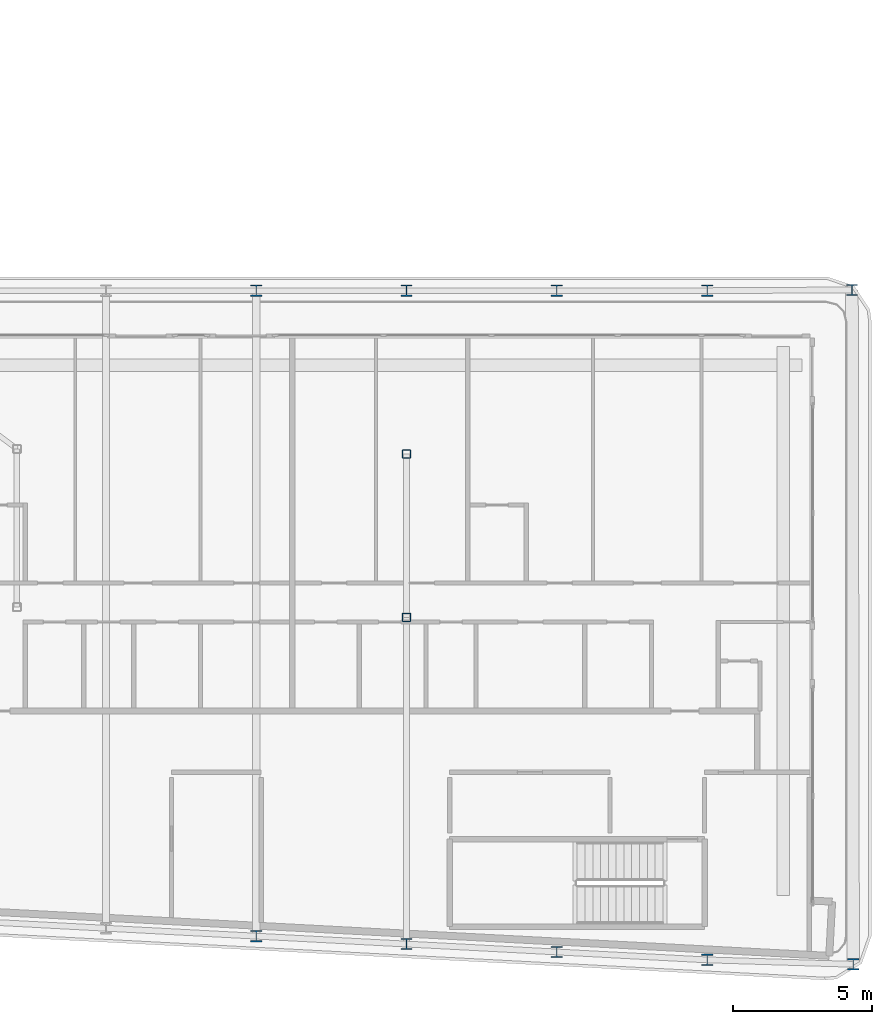
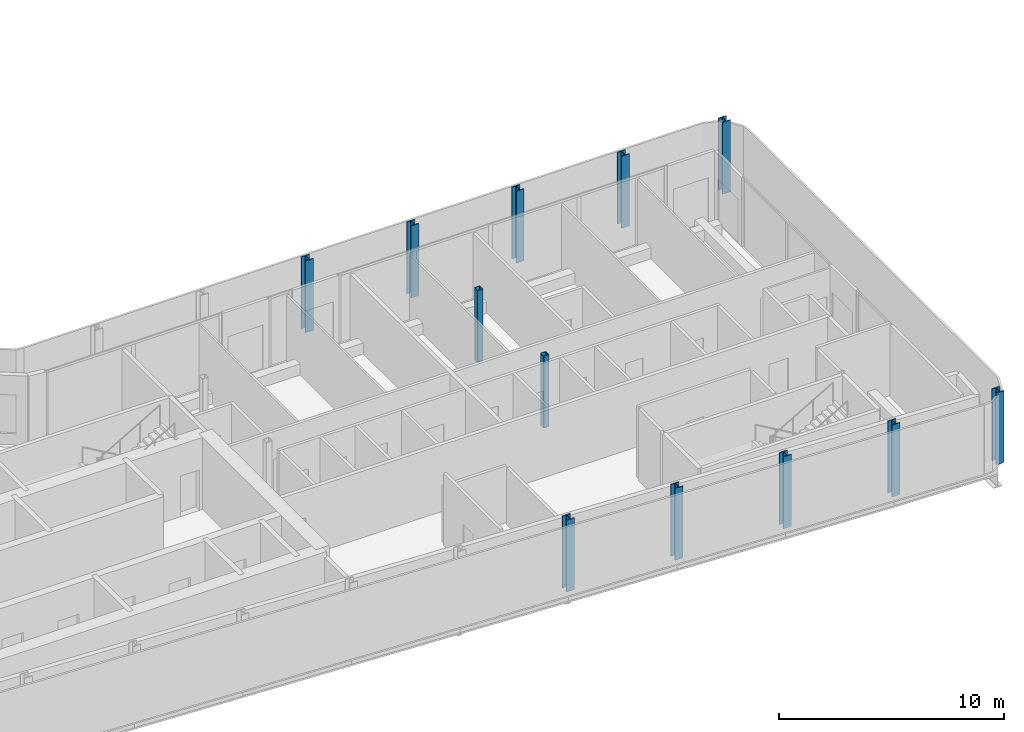
# One storey, part 2 of 23: 12 columns.
"""IFC4 building model written with IfcOpenShell, lengths in metres."""

from ifc_helpers import new_model, si_unit, direction, frame, origin, origin_2d, place, context, subcontext, project, spatial, hollow_rectangle, i_section, extrude, material, material_profile, profile_set, type_object, element, save


model = new_model("IFC4")

# Units and contexts
model_context = context("Model", 3, precision=1e-05, world=origin(), true_north=direction((0.0, 1.0)))
body_context = subcontext(model_context, "Body", "Model", "MODEL_VIEW")
ifc_project = project(units=[si_unit("LENGTHUNIT", "METRE"), si_unit("AREAUNIT", "SQUARE_METRE"), si_unit("VOLUMEUNIT", "CUBIC_METRE"), si_unit("PLANEANGLEUNIT", "RADIAN"), si_unit("MASSUNIT", "GRAM", prefix="KILO")], contexts=[model_context])

# Site, building, storey
site_placement = place(None, origin())
site = spatial("IfcSite", under=ifc_project, at=site_placement, CompositionType="ELEMENT")
building_placement = place(site_placement, origin())
building = spatial("IfcBuilding", under=site, at=building_placement, Name="Kheshtan School and Residences Tower", CompositionType="ELEMENT")
storey_placement = place(building_placement, frame((0.0, 0.0, 259.10009765625)))
storey = spatial("IfcBuildingStorey", under=building, at=storey_placement, Name="L61", CompositionType="ELEMENT", Elevation=259.10009765625)

# Columns
ifc_material_1 = material(Name="Steel ASTM A992 Grade 50", Category="steel")
ifc_material_profile_1 = material_profile(ifc_material_1, i_section(OverallWidth=0.404052734375, OverallDepth=0.406982421875, WebThickness=0.027099609375, FlangeThickness=0.043701171875, FilletRadius=0.01220703125, at=origin_2d()), Name="W360x347")
ifc_profile_set_1 = profile_set([ifc_material_profile_1], Name="Steel ASTM A992 Grade 50")
column_type_1 = type_object("IfcColumnType", Name="Column C4 W360x347 ASTM A992 Grade 50", PredefinedType="COLUMN", material=ifc_profile_set_1)
for number, where, z_axis, x_axis, name in (
    (1, (85.243896484375, 21.39990234375, 0.0), (0.0, 0.0, 1.0), (1.0, 0.0, 0.0), "Column C011"),
    (2, (80.0, 21.55810546875, 0.0), (0.0, 0.0, 1.0), (1.0, 0.0, 0.0), "Column C012"),
    (3, (74.60009765625, 21.843017578125, 0.0), (0.0, 0.0, 1.0), (1.0, 0.0, 0.0), "Column C013"),
    (4, (69.199951171875, 22.126953125, 0.0), (0.0, 0.0, 1.0), (1.0, 0.0, 0.0), "Column C014"),
    (5, (63.800048828125, 22.410888671875, 0.0), (0.0, 0.0, 1.0), (1.0, 0.0, 0.0), "Column C016"),
    (6, (63.800048828125, 45.60009765625, 0.0), (0.0, 0.0, 1.0), (1.0, 0.0, 0.0), "Column C063"),
    (7, (69.199951171875, 45.60009765625, 0.0), (0.0, 0.0, 1.0), (1.0, 0.0, 0.0), "Column C064"),
    (8, (74.60009765625, 45.60009765625, 0.0), (0.0, 0.0, 1.0), (1.0, 0.0, 0.0), "Column C065"),
    (9, (80.0, 45.60009765625, 0.0), (0.0, 0.0, 1.0), (1.0, 0.0, 0.0), "Column C066"),
    (10, (85.201904296875, 45.6279296875, 0.0), (0.0, 0.0, 1.0), (1.0, 0.0, 0.0), "Column C076"),
):
    element("IfcColumn", number, at=place(storey_placement, frame(where, z_axis=z_axis, x_axis=x_axis)), inside=storey, type_object=column_type_1, Name=name, PredefinedType="COLUMN", context=body_context, shape_type="SweptSolid", body=[
        extrude(i_section(OverallWidth=0.404052734375, OverallDepth=0.406982421875, WebThickness=0.027099609375, FlangeThickness=0.043701171875, FilletRadius=0.01220703125, at=origin_2d()), origin(), (0.0, 0.0, 1.0), 3.89990234375),
    ])
ifc_material_2 = material(Name="Steel ASTM A500 Grade C", Category="steel")
ifc_material_profile_2 = material_profile(ifc_material_2, hollow_rectangle(XDim=0.304931640625, YDim=0.304931640625, WallThickness=0.015869140625, InnerFilletRadius=0.015869140625, OuterFilletRadius=0.03173828125, at=origin_2d()), Name="HSS 305x305x15.9")
ifc_profile_set_2 = profile_set([ifc_material_profile_2], Name="Steel ASTM A500 Grade C")
column_type_2 = type_object("IfcColumnType", Name="Column IC2 HSS 305x305x15.9 ASTM A500 Grade C", PredefinedType="COLUMN", material=ifc_profile_set_2)
for number, where, z_axis, x_axis, name in (
    (11, (69.199951171875, 33.863037109375, 0.0), (0.0, 0.0, 1.0), (1.0, 0.0, 0.0), "Column C050"),
    (12, (69.199951171875, 39.73193359375, 0.0), (0.0, 0.0, 1.0), (1.0, 0.0, 0.0), "Column C054"),
):
    element("IfcColumn", number, at=place(storey_placement, frame(where, z_axis=z_axis, x_axis=x_axis)), inside=storey, type_object=column_type_2, Name=name, PredefinedType="COLUMN", context=body_context, shape_type="SweptSolid", body=[
        extrude(hollow_rectangle(XDim=0.304931640625, YDim=0.304931640625, WallThickness=0.015869140625, InnerFilletRadius=0.015869140625, OuterFilletRadius=0.03173828125, at=origin_2d()), origin(), (0.0, 0.0, 1.0), 3.89990234375),
    ])

save(model, "model.ifc")
